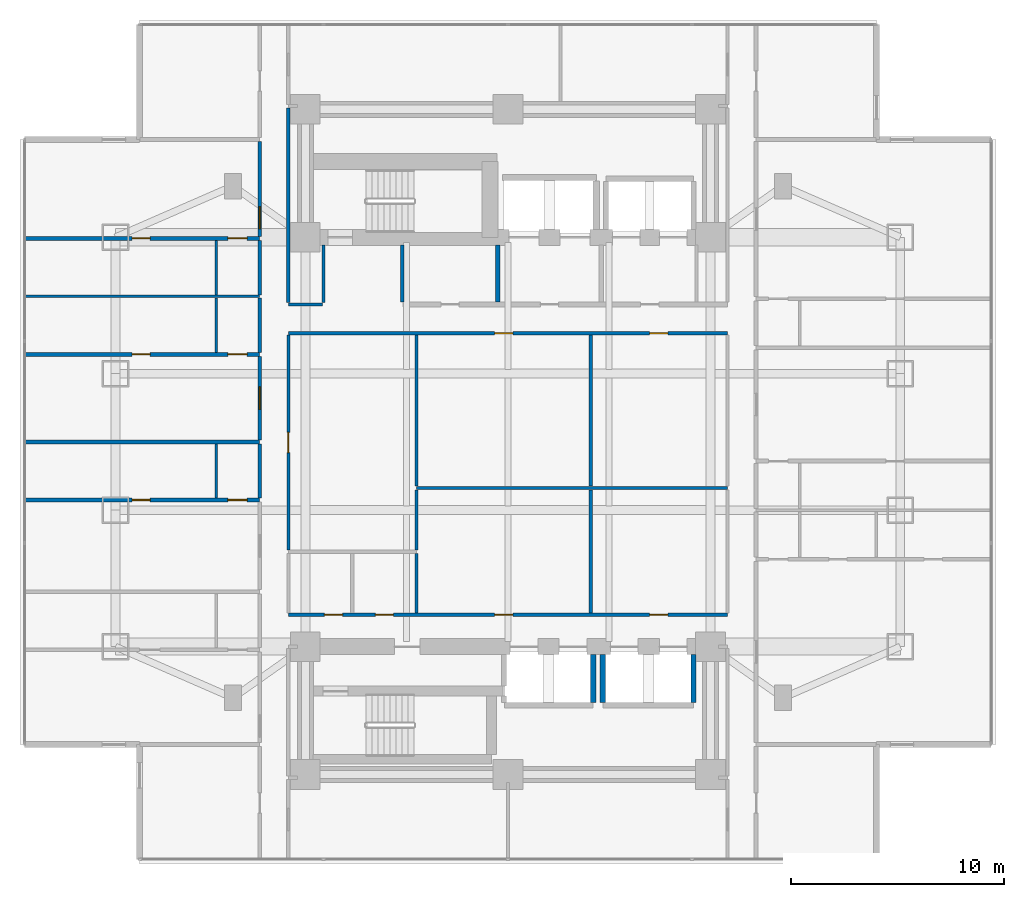
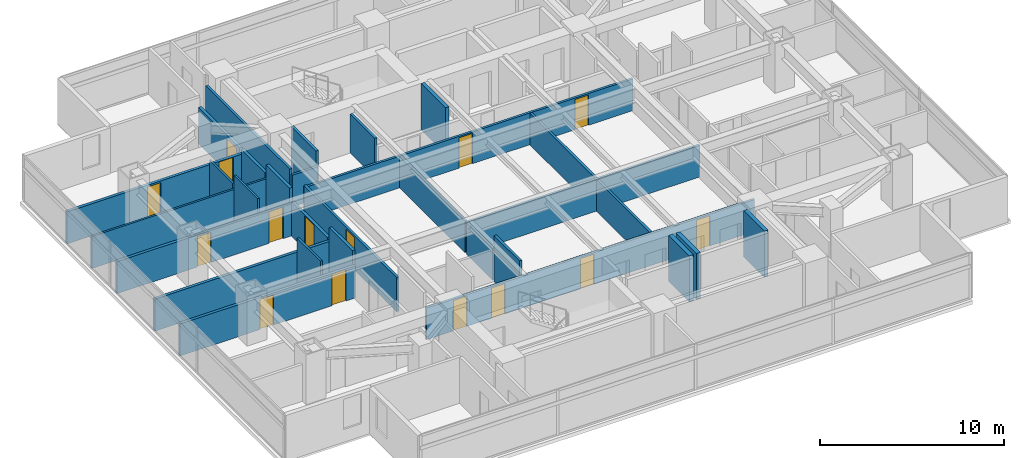
# One storey, part 15 of 27: 30 walls, 15 doors, 15 openings.
"""IFC4 building model written with IfcOpenShell, lengths in metres."""

from ifc_helpers import new_model, si_unit, direction, frame, frame_2d, origin, place, context, subcontext, project, spatial, rectangle, extrude, material, layer, layer_set, type_object, element, fill, save


model = new_model("IFC4")

# Units and contexts
model_context = context("Model", 3, precision=1e-05, world=origin(), true_north=direction((0.0, 1.0)))
body_context = subcontext(model_context, "Body", "Model", "MODEL_VIEW")
ifc_project = project(units=[si_unit("LENGTHUNIT", "METRE"), si_unit("AREAUNIT", "SQUARE_METRE"), si_unit("VOLUMEUNIT", "CUBIC_METRE"), si_unit("PLANEANGLEUNIT", "RADIAN"), si_unit("MASSUNIT", "GRAM", prefix="KILO")], contexts=[model_context])

# Site, building, storey
site_placement = place(None, origin())
site = spatial("IfcSite", under=ifc_project, at=site_placement, CompositionType="ELEMENT")
building_placement = place(site_placement, origin())
building = spatial("IfcBuilding", under=site, at=building_placement, Name="Mirazonda Arch Towers", CompositionType="ELEMENT")
storey_placement = place(building_placement, frame((0.0, 0.0, 42.199951171875)))
storey = spatial("IfcBuildingStorey", under=building, at=storey_placement, Name="L11", CompositionType="ELEMENT", Elevation=42.199951171875)

# Wall
ifc_material_1 = material(Name="Concrete C40/50", Category="concrete")
ifc_layer_1 = layer(ifc_material_1, 0.219970703125, Name="WALL-FFL-220")
ifc_layer_set_1 = layer_set([ifc_layer_1], Name="Concrete C40/50")
wall_type_1 = type_object("IfcWallType", Name="WALL-FFL-220", PredefinedType="SOLIDWALL", material=ifc_layer_set_1)
wall_1_placement = place(storey_placement, frame((20.02490234375, 34.570068359375, 0.0), z_axis=(0.0, 0.0, 1.0), x_axis=(0.0, 1.0, 0.0)))
element("IfcWall", 1, at=wall_1_placement, inside=storey, type_object=wall_type_1, Name="L11 Interior Partition 092", PredefinedType="SOLIDWALL", context=body_context, shape_type="SweptSolid", body=[
    extrude(rectangle(XDim=2.659912109375, YDim=0.219970703125, at=frame_2d((1.330078125, 0.0))), origin(), (0.0, 0.0, 1.0), 3.06005859375),
])

# Wall, openings, doors
ifc_material_2 = material(Name="Fire-Rated Gypsum Stud Partition")
ifc_layer_2 = layer(ifc_material_2, 0.14990234375, Name="WALL-PART-CORR-150")
ifc_layer_set_2 = layer_set([ifc_layer_2], Name="Fire-Rated Gypsum Stud Partition")
wall_type_2 = type_object("IfcWallType", Name="WALL-PART-CORR-150", PredefinedType="PARTITIONING", material=ifc_layer_set_2)
wall_2_placement = place(storey_placement, frame((10.199951171875, 19.89990234375, 0.0), z_axis=(0.0, 0.0, 1.0), x_axis=(1.0, 0.0, 0.0)))
wall_2 = element("IfcWall", 2, at=wall_2_placement, inside=storey, type_object=wall_type_2, Name="L11 Interior Partition 016", PredefinedType="PARTITIONING", context=body_context, shape_type="SweptSolid", body=[
    extrude(rectangle(XDim=20.60009765625, YDim=0.14990234375, at=frame_2d((10.300048828125, 0.0))), origin(), (0.0, 0.0, 1.0), 2.10400390625),
])
opening_1_placement = place(wall_2_placement, frame((1.695068359375, 0.0, 0.0)))
opening_1 = element("IfcOpeningElement", 3, at=opening_1_placement, cuts=wall_2, Name="Opening DR-128", PredefinedType="OPENING", context=body_context, shape_type="SweptSolid", body=[
    extrude(rectangle(XDim=0.85009765625, YDim=2.010009765625, at=frame_2d((0.425048828125, 1.0048828125))), frame((0.0, 0.0849609375, 0.0), z_axis=(0.0, -1.0, 0.0), x_axis=(1.0, 0.0, 0.0)), (0.0, 0.0, 1.0), 0.169921875),
])
opening_2_placement = place(wall_2_placement, frame((4.0849609375, 0.0, 0.0)))
opening_2 = element("IfcOpeningElement", 4, at=opening_2_placement, cuts=wall_2, Name="Opening DR-128", PredefinedType="OPENING", context=body_context, shape_type="SweptSolid", body=[
    extrude(rectangle(XDim=0.85009765625, YDim=2.010009765625, at=frame_2d((0.425048828125, 1.0048828125))), frame((0.0, 0.0849609375, 0.0), z_axis=(0.0, -1.0, 0.0), x_axis=(1.0, 0.0, 0.0)), (0.0, 0.0, 1.0), 0.169921875),
])
opening_3_placement = place(wall_2_placement, frame((9.677490234375, 0.0, 0.0)))
opening_3 = element("IfcOpeningElement", 5, at=opening_3_placement, cuts=wall_2, Name="Opening DR-128", PredefinedType="OPENING", context=body_context, shape_type="SweptSolid", body=[
    extrude(rectangle(XDim=0.85009765625, YDim=2.010009765625, at=frame_2d((0.425048828125, 1.0048828125))), frame((0.0, 0.0849609375, 0.0), z_axis=(0.0, -1.0, 0.0), x_axis=(1.0, 0.0, 0.0)), (0.0, 0.0, 1.0), 0.169921875),
])
opening_4_placement = place(wall_2_placement, frame((16.947509765625, 0.0, 0.0)))
opening_4 = element("IfcOpeningElement", 6, at=opening_4_placement, cuts=wall_2, Name="Opening DR-128", PredefinedType="OPENING", context=body_context, shape_type="SweptSolid", body=[
    extrude(rectangle(XDim=0.85009765625, YDim=2.010009765625, at=frame_2d((0.425048828125, 1.0048828125))), frame((0.0, 0.0849609375, 0.0), z_axis=(0.0, -1.0, 0.0), x_axis=(1.0, 0.0, 0.0)), (0.0, 0.0, 1.0), 0.169921875),
])
ifc_material_3 = material(Name="Architectural Brushed Steel S355", Category="steel")
door_type_1 = type_object("IfcDoorType", Name="DOOR-RISER-FD60-850", OperationType="NOTDEFINED", PredefinedType="DOOR", material=ifc_material_3)
door_1_placement = place(opening_1_placement, origin())
door_1 = element("IfcDoor", 7, at=door_1_placement, inside=storey, type_object=door_type_1, Name="L11 Common Accessible WC Door", OperationType="SINGLE_SWING_RIGHT", OverallHeight=2.010009765625, OverallWidth=0.85009765625, PredefinedType="DOOR", context=body_context, shape_type="SweptSolid", body=[
    extrude(rectangle(XDim=0.85009765625, YDim=2.010009765625, at=frame_2d((0.425048828125, 1.0048828125))), frame((0.0, 0.02490234375, 0.0), z_axis=(0.0, -1.0, 0.0), x_axis=(1.0, 0.0, 0.0)), (0.0, 0.0, 1.0), 0.050048828125),
])
fill(opening_1, door_1)
door_2_placement = place(opening_2_placement, origin())
door_2 = element("IfcDoor", 8, at=door_2_placement, inside=storey, type_object=door_type_1, Name="L11 L11 West Courtyard Study Door", OperationType="SINGLE_SWING_LEFT", OverallHeight=2.010009765625, OverallWidth=0.85009765625, PredefinedType="DOOR", context=body_context, shape_type="SweptSolid", body=[
    extrude(rectangle(XDim=0.85009765625, YDim=2.010009765625, at=frame_2d((0.425048828125, 1.0048828125))), frame((0.0, 0.02490234375, 0.0), z_axis=(0.0, -1.0, 0.0), x_axis=(1.0, 0.0, 0.0)), (0.0, 0.0, 1.0), 0.050048828125),
])
fill(opening_2, door_2)
door_3_placement = place(opening_3_placement, origin())
door_3 = element("IfcDoor", 9, at=door_3_placement, inside=storey, type_object=door_type_1, Name="L11 Residents Private Library Door", OperationType="SINGLE_SWING_LEFT", OverallHeight=2.010009765625, OverallWidth=0.85009765625, PredefinedType="DOOR", context=body_context, shape_type="SweptSolid", body=[
    extrude(rectangle(XDim=0.85009765625, YDim=2.010009765625, at=frame_2d((0.425048828125, 1.0048828125))), frame((0.0, 0.02490234375, 0.0), z_axis=(0.0, -1.0, 0.0), x_axis=(1.0, 0.0, 0.0)), (0.0, 0.0, 1.0), 0.050048828125),
])
fill(opening_3, door_3)
door_4_placement = place(opening_4_placement, origin())
door_4 = element("IfcDoor", 10, at=door_4_placement, inside=storey, type_object=door_type_1, Name="L11 Chamber Music & Screening Salon Door", OperationType="SINGLE_SWING_RIGHT", OverallHeight=2.010009765625, OverallWidth=0.85009765625, PredefinedType="DOOR", context=body_context, shape_type="SweptSolid", body=[
    extrude(rectangle(XDim=0.85009765625, YDim=2.010009765625, at=frame_2d((0.425048828125, 1.0048828125))), frame((0.0, 0.02490234375, 0.0), z_axis=(0.0, -1.0, 0.0), x_axis=(1.0, 0.0, 0.0)), (0.0, 0.0, 1.0), 0.050048828125),
])
fill(opening_4, door_4)

# Wall
wall_3_placement = place(storey_placement, frame((16.219970703125, 25.840087890625, 0.0), z_axis=(0.0, 0.0, 1.0), x_axis=(1.0, 0.0, 0.0)))
element("IfcWall", 11, at=wall_3_placement, inside=storey, type_object=wall_type_2, Name="L11 Interior Partition 030", PredefinedType="PARTITIONING", context=body_context, shape_type="SweptSolid", body=[
    extrude(rectangle(XDim=14.580078125, YDim=0.14990234375, at=frame_2d((7.2900390625, 0.0))), origin(), (0.0, 0.0, 1.0), 2.10400390625),
])

# Wall, openings, doors
wall_4_placement = place(storey_placement, frame((10.199951171875, 33.10009765625, 0.0), z_axis=(0.0, 0.0, 1.0), x_axis=(1.0, 0.0, 0.0)))
wall_4 = element("IfcWall", 12, at=wall_4_placement, inside=storey, type_object=wall_type_2, Name="L11 Interior Partition 045", PredefinedType="PARTITIONING", context=body_context, shape_type="SweptSolid", body=[
    extrude(rectangle(XDim=20.60009765625, YDim=0.14990234375, at=frame_2d((10.300048828125, 0.0))), origin(), (0.0, 0.0, 1.0), 2.10400390625),
])
opening_5_placement = place(wall_4_placement, frame((9.677490234375, 0.0, 0.0)))
opening_5 = element("IfcOpeningElement", 13, at=opening_5_placement, cuts=wall_4, Name="Opening DR-128", PredefinedType="OPENING", context=body_context, shape_type="SweptSolid", body=[
    extrude(rectangle(XDim=0.85009765625, YDim=2.010009765625, at=frame_2d((0.425048828125, 1.0048828125))), frame((0.0, 0.0849609375, 0.0), z_axis=(0.0, -1.0, 0.0), x_axis=(1.0, 0.0, 0.0)), (0.0, 0.0, 1.0), 0.169921875),
])
opening_6_placement = place(wall_4_placement, frame((16.947509765625, 0.0, 0.0)))
opening_6 = element("IfcOpeningElement", 14, at=opening_6_placement, cuts=wall_4, Name="Opening DR-128", PredefinedType="OPENING", context=body_context, shape_type="SweptSolid", body=[
    extrude(rectangle(XDim=0.85009765625, YDim=2.010009765625, at=frame_2d((0.425048828125, 1.0048828125))), frame((0.0, 0.0849609375, 0.0), z_axis=(0.0, -1.0, 0.0), x_axis=(1.0, 0.0, 0.0)), (0.0, 0.0, 1.0), 0.169921875),
])
door_5_placement = place(opening_5_placement, origin())
door_5 = element("IfcDoor", 15, at=door_5_placement, inside=storey, type_object=door_type_1, Name="L11 Private Dining Room Door", OperationType="SINGLE_SWING_LEFT", OverallHeight=2.010009765625, OverallWidth=0.85009765625, PredefinedType="DOOR", context=body_context, shape_type="SweptSolid", body=[
    extrude(rectangle(XDim=0.85009765625, YDim=2.010009765625, at=frame_2d((0.425048828125, 1.0048828125))), frame((0.0, 0.02490234375, 0.0), z_axis=(0.0, -1.0, 0.0), x_axis=(1.0, 0.0, 0.0)), (0.0, 0.0, 1.0), 0.050048828125),
])
fill(opening_5, door_5)
door_6_placement = place(opening_6_placement, origin())
door_6 = element("IfcDoor", 16, at=door_6_placement, inside=storey, type_object=door_type_1, Name="L11 Collectors Gallery Study Door", OperationType="SINGLE_SWING_RIGHT", OverallHeight=2.010009765625, OverallWidth=0.85009765625, PredefinedType="DOOR", context=body_context, shape_type="SweptSolid", body=[
    extrude(rectangle(XDim=0.85009765625, YDim=2.010009765625, at=frame_2d((0.425048828125, 1.0048828125))), frame((0.0, 0.02490234375, 0.0), z_axis=(0.0, -1.0, 0.0), x_axis=(1.0, 0.0, 0.0)), (0.0, 0.0, 1.0), 0.050048828125),
])
fill(opening_6, door_6)

# Wall
wall_5_placement = place(storey_placement, frame((10.199951171875, 34.449951171875, 0.0), z_axis=(0.0, 0.0, 1.0), x_axis=(1.0, 0.0, 0.0)))
element("IfcWall", 17, at=wall_5_placement, inside=storey, type_object=wall_type_2, Name="L11 Interior Partition 046", PredefinedType="PARTITIONING", context=body_context, shape_type="SweptSolid", body=[
    extrude(rectangle(XDim=1.60009765625, YDim=0.14990234375, at=frame_2d((0.800048828125, 0.0))), origin(), (0.0, 0.0, 1.0), 2.10400390625),
])

# Wall, opening, door
wall_6_placement = place(storey_placement, frame((10.206787109375, 22.93505859375, 0.0), z_axis=(0.0, 0.0, 1.0), x_axis=(0.0, 1.0, 0.0)))
wall_6 = element("IfcWall", 18, at=wall_6_placement, inside=storey, type_object=wall_type_2, Name="L11 Interior Partition 082", PredefinedType="PARTITIONING", context=body_context, shape_type="SweptSolid", body=[
    extrude(rectangle(XDim=10.079833984375, YDim=0.14990234375, at=frame_2d((5.0400390625, 0.0))), origin(), (0.0, 0.0, 1.0), 2.279052734375),
])
opening_7_placement = place(wall_6_placement, frame((4.56494140625, 0.0, 0.0)))
opening_7 = element("IfcOpeningElement", 19, at=opening_7_placement, cuts=wall_6, Name="Opening DR-104", PredefinedType="OPENING", context=body_context, shape_type="SweptSolid", body=[
    extrude(rectangle(XDim=0.949951171875, YDim=2.14990234375, at=frame_2d((0.47509765625, 1.074951171875))), frame((0.0, 0.0849609375, 0.0), z_axis=(0.0, -1.0, 0.0), x_axis=(1.0, 0.0, 0.0)), (0.0, 0.0, 1.0), 0.169921875),
])
door_type_2 = type_object("IfcDoorType", Name="DOOR-ROOM-950", OperationType="NOTDEFINED", PredefinedType="DOOR", material=ifc_material_3)
door_7_placement = place(opening_7_placement, origin())
door_7 = element("IfcDoor", 20, at=door_7_placement, inside=storey, type_object=door_type_2, Name="L11 L11 West Courtyard Salon Door", OperationType="SINGLE_SWING_RIGHT", OverallHeight=2.14990234375, OverallWidth=0.949951171875, PredefinedType="DOOR", context=body_context, shape_type="SweptSolid", body=[
    extrude(rectangle(XDim=0.949951171875, YDim=2.14990234375, at=frame_2d((0.47509765625, 1.074951171875))), frame((0.0, 0.02490234375, 0.0), z_axis=(0.0, -1.0, 0.0), x_axis=(1.0, 0.0, 0.0)), (0.0, 0.0, 1.0), 0.050048828125),
])
fill(opening_7, door_7)

# Walls
wall_7_placement = place(storey_placement, frame((10.199951171875, 34.534912109375, 0.0), z_axis=(0.0, 0.0, 1.0), x_axis=(0.0, 1.0, 0.0)))
element("IfcWall", 21, at=wall_7_placement, inside=storey, type_object=wall_type_2, Name="L11 Interior Partition 083", PredefinedType="PARTITIONING", context=body_context, shape_type="SweptSolid", body=[
    extrude(rectangle(XDim=9.130126953125, YDim=0.14990234375, at=frame_2d((4.56494140625, 0.0))), origin(), (0.0, 0.0, 1.0), 2.43603515625),
])
wall_8_placement = place(storey_placement, frame((11.85009765625, 34.534912109375, 0.0), z_axis=(0.0, 0.0, 1.0), x_axis=(0.0, 1.0, 0.0)))
element("IfcWall", 22, at=wall_8_placement, inside=storey, type_object=wall_type_2, Name="L11 Interior Partition 085", PredefinedType="PARTITIONING", context=body_context, shape_type="SweptSolid", body=[
    extrude(rectangle(XDim=2.695068359375, YDim=0.14990234375, at=frame_2d((1.34765625, 0.0))), origin(), (0.0, 0.0, 1.0), 3.06005859375),
])
wall_9_placement = place(storey_placement, frame((15.550048828125, 34.570068359375, 0.0), z_axis=(0.0, 0.0, 1.0), x_axis=(0.0, 1.0, 0.0)))
element("IfcWall", 23, at=wall_9_placement, inside=storey, type_object=wall_type_2, Name="L11 Interior Partition 087", PredefinedType="PARTITIONING", context=body_context, shape_type="SweptSolid", body=[
    extrude(rectangle(XDim=2.659912109375, YDim=0.14990234375, at=frame_2d((1.330078125, 0.0))), origin(), (0.0, 0.0, 1.0), 2.589111328125),
])
wall_10_placement = place(storey_placement, frame((16.219970703125, 19.985107421875, 0.0), z_axis=(0.0, 0.0, 1.0), x_axis=(0.0, 1.0, 0.0)))
element("IfcWall", 24, at=wall_10_placement, inside=storey, type_object=wall_type_2, Name="L11 Interior Partition 088", PredefinedType="PARTITIONING", context=body_context, shape_type="SweptSolid", body=[
    extrude(rectangle(XDim=2.77978515625, YDim=0.14990234375, at=frame_2d((1.389892578125, 0.0))), origin(), (0.0, 0.0, 1.0), 3.06005859375),
])
wall_11_placement = place(storey_placement, frame((16.219970703125, 22.93505859375, 0.0), z_axis=(0.0, 0.0, 1.0), x_axis=(0.0, 1.0, 0.0)))
element("IfcWall", 25, at=wall_11_placement, inside=storey, type_object=wall_type_2, Name="L11 Interior Partition 089", PredefinedType="PARTITIONING", context=body_context, shape_type="SweptSolid", body=[
    extrude(rectangle(XDim=2.81982421875, YDim=0.14990234375, at=frame_2d((1.409912109375, 0.0))), origin(), (0.0, 0.0, 1.0), 2.10400390625),
])
wall_12_placement = place(storey_placement, frame((16.219970703125, 25.925048828125, 0.0), z_axis=(0.0, 0.0, 1.0), x_axis=(0.0, 1.0, 0.0)))
element("IfcWall", 26, at=wall_12_placement, inside=storey, type_object=wall_type_2, Name="L11 Interior Partition 090", PredefinedType="PARTITIONING", context=body_context, shape_type="SweptSolid", body=[
    extrude(rectangle(XDim=7.08984375, YDim=0.14990234375, at=frame_2d((3.544921875, 0.0))), origin(), (0.0, 0.0, 1.0), 2.10400390625),
])
wall_13_placement = place(storey_placement, frame((24.385009765625, 19.985107421875, 0.0), z_axis=(0.0, 0.0, 1.0), x_axis=(0.0, 1.0, 0.0)))
element("IfcWall", 27, at=wall_13_placement, inside=storey, type_object=wall_type_2, Name="L11 Interior Partition 098", PredefinedType="PARTITIONING", context=body_context, shape_type="SweptSolid", body=[
    extrude(rectangle(XDim=5.769775390625, YDim=0.14990234375, at=frame_2d((2.884765625, 0.0))), origin(), (0.0, 0.0, 1.0), 2.10400390625),
])
wall_14_placement = place(storey_placement, frame((24.385009765625, 25.925048828125, 0.0), z_axis=(0.0, 0.0, 1.0), x_axis=(0.0, 1.0, 0.0)))
element("IfcWall", 28, at=wall_14_placement, inside=storey, type_object=wall_type_2, Name="L11 Interior Partition 099", PredefinedType="PARTITIONING", context=body_context, shape_type="SweptSolid", body=[
    extrude(rectangle(XDim=7.08984375, YDim=0.14990234375, at=frame_2d((3.544921875, 0.0))), origin(), (0.0, 0.0, 1.0), 2.10400390625),
])

# Wall, openings, doors
ifc_material_4 = material(Name="Fire-Rated Gypsum Twin-Stud Assembly")
ifc_layer_3 = layer(ifc_material_4, 0.179931640625, Name="WALL-PART-DEMISE-180")
ifc_layer_set_3 = layer_set([ifc_layer_3], Name="Fire-Rated Gypsum Twin-Stud Assembly")
wall_type_3 = type_object("IfcWallType", Name="WALL-PART-DEMISE-180", PredefinedType="PARTITIONING", material=ifc_layer_set_3)
wall_15_placement = place(storey_placement, frame((-2.159912109375, 25.280029296875, 0.0), z_axis=(0.0, 0.0, 1.0), x_axis=(1.0, 0.0, 0.0)))
wall_15 = element("IfcWall", 29, at=wall_15_placement, inside=storey, type_object=wall_type_3, Name="L11 Interior Partition 028", PredefinedType="PARTITIONING", context=body_context, shape_type="SweptSolid", body=[
    extrude(rectangle(XDim=11.02001953125, YDim=0.179931640625, at=frame_2d((5.510009765625, 0.0))), origin(), (0.0, 0.0, 1.0), 2.125),
])
opening_8_placement = place(wall_15_placement, frame((5.034912109375, 0.0, 0.0)))
opening_8 = element("IfcOpeningElement", 30, at=opening_8_placement, cuts=wall_15, Name="Opening DR-128", PredefinedType="OPENING", context=body_context, shape_type="SweptSolid", body=[
    extrude(rectangle(XDim=0.85009765625, YDim=2.010009765625, at=frame_2d((0.425048828125, 1.0048828125))), frame((0.0, 0.099853515625, 0.0), z_axis=(0.0, -1.0, 0.0), x_axis=(1.0, 0.0, 0.0)), (0.0, 0.0, 1.0), 0.199951171875),
])
opening_9_placement = place(wall_15_placement, frame((9.530029296875, 0.0, 0.0)))
opening_9 = element("IfcOpeningElement", 31, at=opening_9_placement, cuts=wall_15, Name="Opening DR-120", PredefinedType="OPENING", context=body_context, shape_type="SweptSolid", body=[
    extrude(rectangle(XDim=0.89990234375, YDim=2.10009765625, at=frame_2d((0.449951171875, 1.050048828125))), frame((0.0, 0.099853515625, 0.0), z_axis=(0.0, -1.0, 0.0), x_axis=(1.0, 0.0, 0.0)), (0.0, 0.0, 1.0), 0.199951171875),
])
door_8_placement = place(opening_8_placement, origin())
door_8 = element("IfcDoor", 32, at=door_8_placement, inside=storey, type_object=door_type_1, Name="L11 Studio 2 Galley Kitchen Door", OperationType="SINGLE_SWING_LEFT", OverallHeight=2.010009765625, OverallWidth=0.85009765625, PredefinedType="DOOR", context=body_context, shape_type="SweptSolid", body=[
    extrude(rectangle(XDim=0.85009765625, YDim=2.010009765625, at=frame_2d((0.425048828125, 1.0048828125))), frame((0.0, 0.02490234375, 0.0), z_axis=(0.0, -1.0, 0.0), x_axis=(1.0, 0.0, 0.0)), (0.0, 0.0, 1.0), 0.050048828125),
])
fill(opening_8, door_8)
door_type_3 = type_object("IfcDoorType", Name="DOOR-WC-900", OperationType="NOTDEFINED", PredefinedType="DOOR", material=ifc_material_3)
door_9_placement = place(opening_9_placement, origin())
door_9 = element("IfcDoor", 33, at=door_9_placement, inside=storey, type_object=door_type_3, Name="L11 Studio 2 Bathroom Door", OperationType="SINGLE_SWING_RIGHT", OverallHeight=2.10009765625, OverallWidth=0.89990234375, PredefinedType="DOOR", context=body_context, shape_type="SweptSolid", body=[
    extrude(rectangle(XDim=0.89990234375, YDim=2.10009765625, at=frame_2d((0.449951171875, 1.050048828125))), frame((0.0, 0.02490234375, 0.0), z_axis=(0.0, -1.0, 0.0), x_axis=(1.0, 0.0, 0.0)), (0.0, 0.0, 1.0), 0.050048828125),
])
fill(opening_9, door_9)

# Wall
wall_16_placement = place(storey_placement, frame((-2.159912109375, 28.0, 0.0), z_axis=(0.0, 0.0, 1.0), x_axis=(1.0, 0.0, 0.0)))
element("IfcWall", 34, at=wall_16_placement, inside=storey, type_object=wall_type_3, Name="L11 Interior Partition 035", PredefinedType="PARTITIONING", context=body_context, shape_type="SweptSolid", body=[
    extrude(rectangle(XDim=11.02001953125, YDim=0.179931640625, at=frame_2d((5.510009765625, 0.0))), origin(), (0.0, 0.0, 1.0), 2.125),
])

# Wall, openings, doors
wall_17_placement = place(storey_placement, frame((-2.159912109375, 32.10595703125, 0.0), z_axis=(0.0, 0.0, 1.0), x_axis=(1.0, 0.0, 0.0)))
wall_17 = element("IfcWall", 35, at=wall_17_placement, inside=storey, type_object=wall_type_3, Name="L11 Interior Partition 041", PredefinedType="PARTITIONING", context=body_context, shape_type="SweptSolid", body=[
    extrude(rectangle(XDim=11.02001953125, YDim=0.179931640625, at=frame_2d((5.510009765625, 0.0))), origin(), (0.0, 0.0, 1.0), 2.125),
])
opening_10_placement = place(wall_17_placement, frame((5.034912109375, 0.0, 0.0)))
opening_10 = element("IfcOpeningElement", 36, at=opening_10_placement, cuts=wall_17, Name="Opening DR-128", PredefinedType="OPENING", context=body_context, shape_type="SweptSolid", body=[
    extrude(rectangle(XDim=0.85009765625, YDim=2.010009765625, at=frame_2d((0.425048828125, 1.0048828125))), frame((0.0, 0.099853515625, 0.0), z_axis=(0.0, -1.0, 0.0), x_axis=(1.0, 0.0, 0.0)), (0.0, 0.0, 1.0), 0.199951171875),
])
opening_11_placement = place(wall_17_placement, frame((9.530029296875, 0.0, 0.0)))
opening_11 = element("IfcOpeningElement", 37, at=opening_11_placement, cuts=wall_17, Name="Opening DR-120", PredefinedType="OPENING", context=body_context, shape_type="SweptSolid", body=[
    extrude(rectangle(XDim=0.89990234375, YDim=2.10009765625, at=frame_2d((0.449951171875, 1.050048828125))), frame((0.0, 0.099853515625, 0.0), z_axis=(0.0, -1.0, 0.0), x_axis=(1.0, 0.0, 0.0)), (0.0, 0.0, 1.0), 0.199951171875),
])
door_10_placement = place(opening_10_placement, origin())
door_10 = element("IfcDoor", 38, at=door_10_placement, inside=storey, type_object=door_type_1, Name="L11 Studio 3 Galley Kitchen Door", OperationType="SINGLE_SWING_RIGHT", OverallHeight=2.010009765625, OverallWidth=0.85009765625, PredefinedType="DOOR", context=body_context, shape_type="SweptSolid", body=[
    extrude(rectangle(XDim=0.85009765625, YDim=2.010009765625, at=frame_2d((0.425048828125, 1.0048828125))), frame((0.0, 0.02490234375, 0.0), z_axis=(0.0, -1.0, 0.0), x_axis=(1.0, 0.0, 0.0)), (0.0, 0.0, 1.0), 0.050048828125),
])
fill(opening_10, door_10)
door_11_placement = place(opening_11_placement, origin())
door_11 = element("IfcDoor", 39, at=door_11_placement, inside=storey, type_object=door_type_3, Name="L11 Studio 3 Bathroom Door", OperationType="SINGLE_SWING_LEFT", OverallHeight=2.10009765625, OverallWidth=0.89990234375, PredefinedType="DOOR", context=body_context, shape_type="SweptSolid", body=[
    extrude(rectangle(XDim=0.89990234375, YDim=2.10009765625, at=frame_2d((0.449951171875, 1.050048828125))), frame((0.0, 0.02490234375, 0.0), z_axis=(0.0, -1.0, 0.0), x_axis=(1.0, 0.0, 0.0)), (0.0, 0.0, 1.0), 0.050048828125),
])
fill(opening_11, door_11)

wall_18_placement = place(storey_placement, frame((-2.159912109375, 37.5458984375, 0.0), z_axis=(0.0, 0.0, 1.0), x_axis=(1.0, 0.0, 0.0)))
wall_18 = element("IfcWall", 40, at=wall_18_placement, inside=storey, type_object=wall_type_3, Name="L11 Interior Partition 053", PredefinedType="PARTITIONING", context=body_context, shape_type="SweptSolid", body=[
    extrude(rectangle(XDim=11.02001953125, YDim=0.179931640625, at=frame_2d((5.510009765625, 0.0))), origin(), (0.0, 0.0, 1.0), 2.125),
])
opening_12_placement = place(wall_18_placement, frame((5.034912109375, 0.0, 0.0)))
opening_12 = element("IfcOpeningElement", 41, at=opening_12_placement, cuts=wall_18, Name="Opening DR-128", PredefinedType="OPENING", context=body_context, shape_type="SweptSolid", body=[
    extrude(rectangle(XDim=0.85009765625, YDim=2.010009765625, at=frame_2d((0.425048828125, 1.0048828125))), frame((0.0, 0.099853515625, 0.0), z_axis=(0.0, -1.0, 0.0), x_axis=(1.0, 0.0, 0.0)), (0.0, 0.0, 1.0), 0.199951171875),
])
opening_13_placement = place(wall_18_placement, frame((9.530029296875, 0.0, 0.0)))
opening_13 = element("IfcOpeningElement", 42, at=opening_13_placement, cuts=wall_18, Name="Opening DR-120", PredefinedType="OPENING", context=body_context, shape_type="SweptSolid", body=[
    extrude(rectangle(XDim=0.89990234375, YDim=2.10009765625, at=frame_2d((0.449951171875, 1.050048828125))), frame((0.0, 0.099853515625, 0.0), z_axis=(0.0, -1.0, 0.0), x_axis=(1.0, 0.0, 0.0)), (0.0, 0.0, 1.0), 0.199951171875),
])
door_12_placement = place(opening_12_placement, origin())
door_12 = element("IfcDoor", 43, at=door_12_placement, inside=storey, type_object=door_type_1, Name="L11 Studio 4 Galley Kitchen Door", OperationType="SINGLE_SWING_LEFT", OverallHeight=2.010009765625, OverallWidth=0.85009765625, PredefinedType="DOOR", context=body_context, shape_type="SweptSolid", body=[
    extrude(rectangle(XDim=0.85009765625, YDim=2.010009765625, at=frame_2d((0.425048828125, 1.0048828125))), frame((0.0, 0.02490234375, 0.0), z_axis=(0.0, -1.0, 0.0), x_axis=(1.0, 0.0, 0.0)), (0.0, 0.0, 1.0), 0.050048828125),
])
fill(opening_12, door_12)
door_13_placement = place(opening_13_placement, origin())
door_13 = element("IfcDoor", 44, at=door_13_placement, inside=storey, type_object=door_type_3, Name="L11 Studio 4 Bathroom Door", OperationType="SINGLE_SWING_RIGHT", OverallHeight=2.10009765625, OverallWidth=0.89990234375, PredefinedType="DOOR", context=body_context, shape_type="SweptSolid", body=[
    extrude(rectangle(XDim=0.89990234375, YDim=2.10009765625, at=frame_2d((0.449951171875, 1.050048828125))), frame((0.0, 0.02490234375, 0.0), z_axis=(0.0, -1.0, 0.0), x_axis=(1.0, 0.0, 0.0)), (0.0, 0.0, 1.0), 0.050048828125),
])
fill(opening_13, door_13)

# Wall
wall_19_placement = place(storey_placement, frame((8.860107421875, 25.3798828125, 0.0), z_axis=(0.0, 0.0, 1.0), x_axis=(0.0, 1.0, 0.0)))
element("IfcWall", 45, at=wall_19_placement, inside=storey, type_object=wall_type_3, Name="L11 Interior Partition 073", PredefinedType="PARTITIONING", context=body_context, shape_type="SweptSolid", body=[
    extrude(rectangle(XDim=2.52001953125, YDim=0.179931640625, at=frame_2d((1.260009765625, 0.0))), origin(), (0.0, 0.0, 1.0), 3.06005859375),
])

# Wall, opening, door
wall_20_placement = place(storey_placement, frame((8.860107421875, 28.10009765625, 0.0), z_axis=(0.0, 0.0, 1.0), x_axis=(0.0, 1.0, 0.0)))
wall_20 = element("IfcWall", 46, at=wall_20_placement, inside=storey, type_object=wall_type_3, Name="L11 Interior Partition 074", PredefinedType="PARTITIONING", context=body_context, shape_type="SweptSolid", body=[
    extrude(rectangle(XDim=3.906005859375, YDim=0.179931640625, at=frame_2d((1.953125, 0.0))), origin(), (0.0, 0.0, 1.0), 2.279052734375),
])
opening_14_placement = place(wall_20_placement, frame((1.427978515625, 0.0, 0.0)))
opening_14 = element("IfcOpeningElement", 47, at=opening_14_placement, cuts=wall_20, Name="Opening DR-121", PredefinedType="OPENING", context=body_context, shape_type="SweptSolid", body=[
    extrude(rectangle(XDim=1.050048828125, YDim=2.199951171875, at=frame_2d((0.52490234375, 1.10009765625))), frame((0.0, 0.099853515625, 0.0), z_axis=(0.0, -1.0, 0.0), x_axis=(1.0, 0.0, 0.0)), (0.0, 0.0, 1.0), 0.199951171875),
])
door_type_4 = type_object("IfcDoorType", Name="DOOR-SUITE-FD60-1050", OperationType="NOTDEFINED", PredefinedType="DOOR", material=ifc_material_3)
door_14_placement = place(opening_14_placement, origin())
door_14 = element("IfcDoor", 48, at=door_14_placement, inside=storey, type_object=door_type_4, Name="L11 Studio Apartment 3 Living Salon Door", OperationType="SINGLE_SWING_LEFT", OverallHeight=2.199951171875, OverallWidth=1.050048828125, PredefinedType="DOOR", context=body_context, shape_type="SweptSolid", body=[
    extrude(rectangle(XDim=1.050048828125, YDim=2.199951171875, at=frame_2d((0.52490234375, 1.10009765625))), frame((0.0, 0.02490234375, 0.0), z_axis=(0.0, -1.0, 0.0), x_axis=(1.0, 0.0, 0.0)), (0.0, 0.0, 1.0), 0.050048828125),
])
fill(opening_14, door_14)

# Walls
wall_21_placement = place(storey_placement, frame((8.860107421875, 32.2060546875, 0.0), z_axis=(0.0, 0.0, 1.0), x_axis=(0.0, 1.0, 0.0)))
element("IfcWall", 49, at=wall_21_placement, inside=storey, type_object=wall_type_3, Name="L11 Interior Partition 075", PredefinedType="PARTITIONING", context=body_context, shape_type="SweptSolid", body=[
    extrude(rectangle(XDim=2.54736328125, YDim=0.179931640625, at=frame_2d((1.273681640625, 0.0))), origin(), (0.0, 0.0, 1.0), 3.06005859375),
])
wall_22_placement = place(storey_placement, frame((8.860107421875, 34.8984375, 0.0), z_axis=(0.0, 0.0, 1.0), x_axis=(0.0, 1.0, 0.0)))
element("IfcWall", 50, at=wall_22_placement, inside=storey, type_object=wall_type_3, Name="L11 Interior Partition 076", PredefinedType="PARTITIONING", context=body_context, shape_type="SweptSolid", body=[
    extrude(rectangle(XDim=2.547607421875, YDim=0.179931640625, at=frame_2d((1.27392578125, 0.0))), origin(), (0.0, 0.0, 1.0), 2.4521484375),
])

# Wall, opening, door
wall_23_placement = place(storey_placement, frame((8.860107421875, 37.64599609375, 0.0), z_axis=(0.0, 0.0, 1.0), x_axis=(0.0, 1.0, 0.0)))
wall_23 = element("IfcWall", 51, at=wall_23_placement, inside=storey, type_object=wall_type_3, Name="L11 Interior Partition 077", PredefinedType="PARTITIONING", context=body_context, shape_type="SweptSolid", body=[
    extrude(rectangle(XDim=4.44189453125, YDim=0.179931640625, at=frame_2d((2.220947265625, 0.0))), origin(), (0.0, 0.0, 1.0), 2.43603515625),
])
opening_15_placement = place(wall_23_placement, frame((0.345947265625, 0.0, 0.0)))
opening_15 = element("IfcOpeningElement", 52, at=opening_15_placement, cuts=wall_23, Name="Opening DR-121", PredefinedType="OPENING", context=body_context, shape_type="SweptSolid", body=[
    extrude(rectangle(XDim=1.050048828125, YDim=2.199951171875, at=frame_2d((0.52490234375, 1.10009765625))), frame((0.0, 0.099853515625, 0.0), z_axis=(0.0, -1.0, 0.0), x_axis=(1.0, 0.0, 0.0)), (0.0, 0.0, 1.0), 0.199951171875),
])
door_15_placement = place(opening_15_placement, origin())
door_15 = element("IfcDoor", 53, at=door_15_placement, inside=storey, type_object=door_type_4, Name="L11 Studio Apartment 4 Living Salon Door", OperationType="SINGLE_SWING_RIGHT", OverallHeight=2.199951171875, OverallWidth=1.050048828125, PredefinedType="DOOR", context=body_context, shape_type="SweptSolid", body=[
    extrude(rectangle(XDim=1.050048828125, YDim=2.199951171875, at=frame_2d((0.52490234375, 1.10009765625))), frame((0.0, 0.02490234375, 0.0), z_axis=(0.0, -1.0, 0.0), x_axis=(1.0, 0.0, 0.0)), (0.0, 0.0, 1.0), 0.050048828125),
])
fill(opening_15, door_15)

# Walls
ifc_material_5 = material(Name="Acoustic Fire-Rated Gypsum Partition")
ifc_layer_4 = layer(ifc_material_5, 0.125, Name="WALL-PART-UNIT-125")
ifc_layer_set_4 = layer_set([ifc_layer_4], Name="Acoustic Fire-Rated Gypsum Partition")
wall_type_4 = type_object("IfcWallType", Name="WALL-PART-UNIT-125", PredefinedType="PARTITIONING", material=ifc_layer_set_4)
wall_24_placement = place(storey_placement, frame((-2.159912109375, 34.825927734375, 0.0), z_axis=(0.0, 0.0, 1.0), x_axis=(1.0, 0.0, 0.0)))
element("IfcWall", 54, at=wall_24_placement, inside=storey, type_object=wall_type_4, Name="L11 Interior Partition 048", PredefinedType="PARTITIONING", context=body_context, shape_type="SweptSolid", body=[
    extrude(rectangle(XDim=11.02001953125, YDim=0.125, at=frame_2d((5.510009765625, 0.0))), origin(), (0.0, 0.0, 1.0), 2.125),
])
wall_25_placement = place(storey_placement, frame((6.820068359375, 25.3798828125, 0.0), z_axis=(0.0, 0.0, 1.0), x_axis=(0.0, 1.0, 0.0)))
element("IfcWall", 55, at=wall_25_placement, inside=storey, type_object=wall_type_4, Name="L11 Interior Partition 066", PredefinedType="PARTITIONING", context=body_context, shape_type="SweptSolid", body=[
    extrude(rectangle(XDim=2.52001953125, YDim=0.125, at=frame_2d((1.260009765625, 0.0))), origin(), (0.0, 0.0, 1.0), 3.06005859375),
])
wall_26_placement = place(storey_placement, frame((6.820068359375, 32.2060546875, 0.0), z_axis=(0.0, 0.0, 1.0), x_axis=(0.0, 1.0, 0.0)))
element("IfcWall", 56, at=wall_26_placement, inside=storey, type_object=wall_type_4, Name="L11 Interior Partition 067", PredefinedType="PARTITIONING", context=body_context, shape_type="SweptSolid", body=[
    extrude(rectangle(XDim=2.54736328125, YDim=0.125, at=frame_2d((1.273681640625, 0.0))), origin(), (0.0, 0.0, 1.0), 3.06005859375),
])
wall_27_placement = place(storey_placement, frame((6.820068359375, 34.8984375, 0.0), z_axis=(0.0, 0.0, 1.0), x_axis=(0.0, 1.0, 0.0)))
element("IfcWall", 57, at=wall_27_placement, inside=storey, type_object=wall_type_4, Name="L11 Interior Partition 068", PredefinedType="PARTITIONING", context=body_context, shape_type="SweptSolid", body=[
    extrude(rectangle(XDim=2.547607421875, YDim=0.125, at=frame_2d((1.27392578125, 0.0))), origin(), (0.0, 0.0, 1.0), 2.4521484375),
])
ifc_layer_5 = layer(ifc_material_1, 0.25, Name="WALL-SHAFT-250")
ifc_layer_set_5 = layer_set([ifc_layer_5], Name="Concrete C40/50")
wall_type_5 = type_object("IfcWallType", Name="WALL-SHAFT-250", PredefinedType="SOLIDWALL", material=ifc_layer_set_5)
for number, where, z_axis, x_axis, name in (
    (58, (24.5, 15.784912109375, 0.0), (0.0, 0.0, 1.0), (0.0, 1.0, 0.0), "L11 Interior Partition 097"),
    (59, (24.949951171875, 15.784912109375, 0.0), (0.0, 0.0, 1.0), (0.0, 1.0, 0.0), "L11 Interior Partition 101"),
    (60, (29.199951171875, 15.784912109375, 0.0), (0.0, 0.0, 1.0), (0.0, 1.0, 0.0), "L11 Interior Partition 104"),
):
    element("IfcWall", number, at=place(storey_placement, frame(where, z_axis=z_axis, x_axis=x_axis)), inside=storey, type_object=wall_type_5, Name=name, PredefinedType="SOLIDWALL", context=body_context, shape_type="SweptSolid", body=[
        extrude(rectangle(XDim=2.2451171875, YDim=0.25, at=frame_2d((1.12255859375, 0.0))), origin(), (0.0, 0.0, 1.0), 3.06005859375),
    ])

save(model, "model.ifc")
